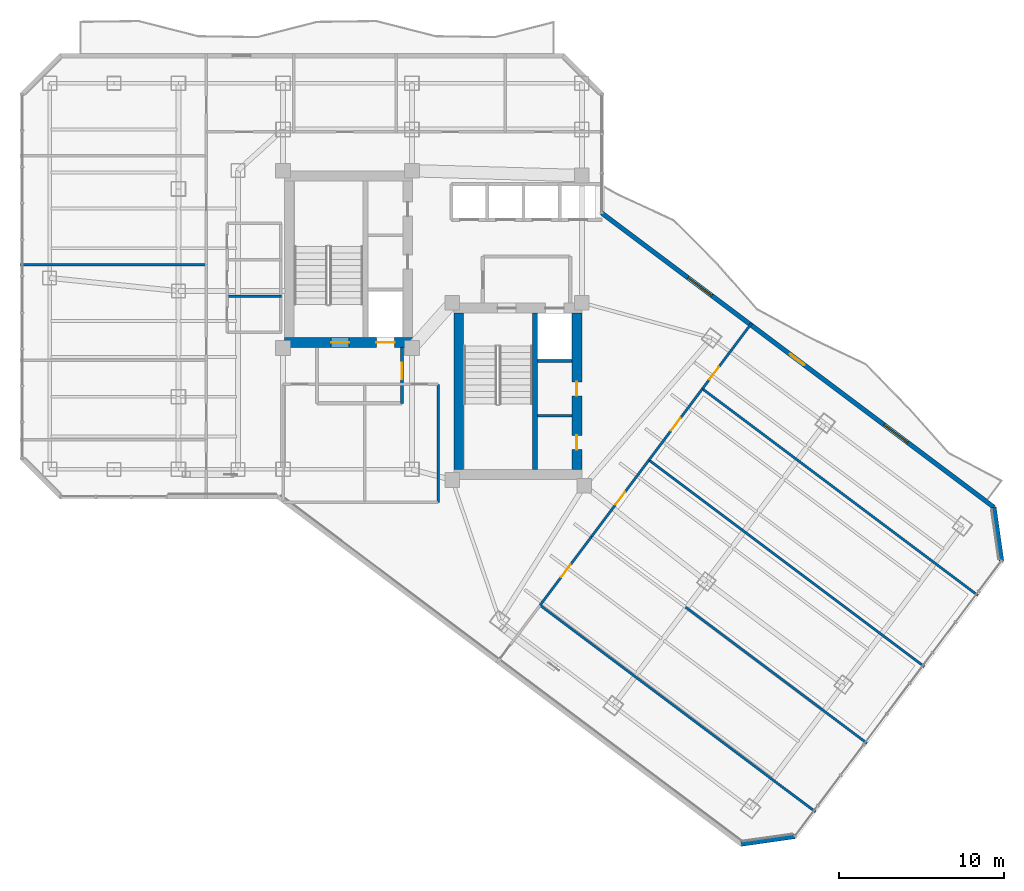
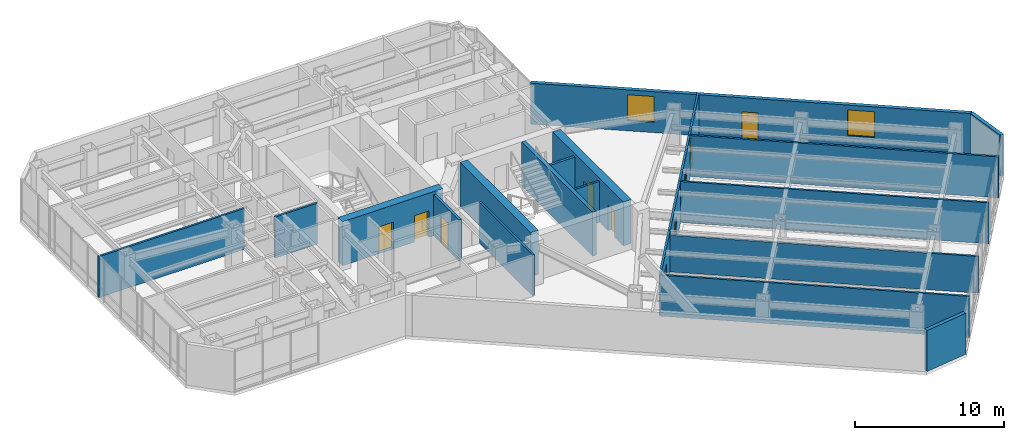
# One storey, part 24 of 31: 21 walls, 10 doors, 2 windows, 12 openings.
"""IFC4 building model written with IfcOpenShell, lengths in metres."""

from ifc_helpers import new_model, si_unit, direction, frame, frame_2d, origin, place, context, subcontext, project, spatial, rectangle, extrude, material, layer, layer_set, type_object, element, fill, save


model = new_model("IFC4")

# Units and contexts
model_context = context("Model", 3, precision=1e-05, world=origin(), true_north=direction((0.0, 1.0)))
body_context = subcontext(model_context, "Body", "Model", "MODEL_VIEW")
ifc_project = project(units=[si_unit("LENGTHUNIT", "METRE"), si_unit("AREAUNIT", "SQUARE_METRE"), si_unit("VOLUMEUNIT", "CUBIC_METRE"), si_unit("PLANEANGLEUNIT", "RADIAN"), si_unit("MASSUNIT", "GRAM", prefix="KILO")], contexts=[model_context])

# Site, building, storey
site_placement = place(None, origin())
site = spatial("IfcSite", under=ifc_project, at=site_placement, CompositionType="ELEMENT")
building_placement = place(site_placement, origin())
building = spatial("IfcBuilding", under=site, at=building_placement, Name="Hatsunagi Terrace Concourse", CompositionType="ELEMENT")
storey_placement = place(building_placement, frame((0.0, 0.0, 122.85009765625)))
storey = spatial("IfcBuildingStorey", under=building, at=storey_placement, Name="L32", CompositionType="ELEMENT", Elevation=122.85009765625)

# Wall, openings, doors
ifc_material_1 = material(Name="Concrete Fc48", Category="concrete")
ifc_layer_1 = layer(ifc_material_1, 0.60009765625)
ifc_layer_set_1 = layer_set([ifc_layer_1], Name="CoreShearWall_Fc48_600")
wall_type_1 = type_object("IfcWallType", Name="CoreShearWall_Fc48_600", PredefinedType="SHEAR", material=ifc_layer_set_1)
wall_1_placement = place(storey_placement, frame((25.6201171875, 32.889892578125, 0.0), z_axis=(0.0, 0.0, 1.0), x_axis=(1.0, 0.0, 0.0)))
wall_1 = element("IfcWall", 1, at=wall_1_placement, inside=storey, type_object=wall_type_1, Name="Core A Shear Wall S L32", PredefinedType="SHEAR", context=body_context, shape_type="SweptSolid", body=[
    extrude(rectangle(XDim=7.77978515625, YDim=0.60009765625, at=frame_2d((3.889892578125, 0.0))), origin(), (0.0, 0.0, 1.0), 3.599853515625),
])
opening_1_placement = place(wall_1_placement, frame((2.830078125, 0.0, 0.0)))
opening_1 = element("IfcOpeningElement", 2, at=opening_1_placement, cuts=wall_1, Name="Opening DR-110S", PredefinedType="OPENING", context=body_context, shape_type="SweptSolid", body=[
    extrude(rectangle(XDim=1.10009765625, YDim=2.199951171875, at=frame_2d((0.550048828125, 1.10009765625))), frame((0.0, 0.31005859375, 0.0), z_axis=(0.0, -1.0, 0.0), x_axis=(1.0, 0.0, 0.0)), (0.0, 0.0, 1.0), 0.6201171875),
])
opening_2_placement = place(wall_1_placement, frame((5.580078125, 0.0, 0.0)))
opening_2 = element("IfcOpeningElement", 3, at=opening_2_placement, cuts=wall_1, Name="Opening LD-01", PredefinedType="OPENING", context=body_context, shape_type="SweptSolid", body=[
    extrude(rectangle(XDim=1.10009765625, YDim=2.14990234375, at=frame_2d((0.550048828125, 1.074951171875))), frame((0.0, 0.31005859375, 0.0), z_axis=(0.0, -1.0, 0.0), x_axis=(1.0, 0.0, 0.0)), (0.0, 0.0, 1.0), 0.6201171875),
])
ifc_material_2 = material(Name="Stainless steel", Category="steel")
door_type_1 = type_object("IfcDoorType", Name="LiftLandingDoor_LD01", OperationType="SLIDING_TO_LEFT", PredefinedType="USERDEFINED", material=ifc_material_2)
door_1_placement = place(opening_2_placement, origin())
door_1 = element("IfcDoor", 4, at=door_1_placement, inside=storey, type_object=door_type_1, Name="Lift landing door FF-01 L32", ObjectType="SLIDING_LANDING_DOOR", OperationType="SLIDING_TO_LEFT", OverallHeight=2.14990234375, OverallWidth=1.10009765625, PredefinedType="USERDEFINED", context=body_context, shape_type="SweptSolid", body=[
    extrude(rectangle(XDim=1.10009765625, YDim=2.14990234375, at=frame_2d((0.550048828125, 1.074951171875))), frame((0.0, 0.02490234375, 0.0), z_axis=(0.0, -1.0, 0.0), x_axis=(1.0, 0.0, 0.0)), (0.0, 0.0, 1.0), 0.050048828125),
])
fill(opening_2, door_1)
ifc_material_3 = material(Name="Painted steel", Category="steel")
door_type_2 = type_object("IfcDoorType", Name="StairFireDoor_EI60_1100", OperationType="NOTDEFINED", PredefinedType="DOOR", material=ifc_material_3)
door_2_placement = place(opening_1_placement, origin())
door_2 = element("IfcDoor", 5, at=door_2_placement, inside=storey, type_object=door_type_2, Name="Stair ST-A Exit Door L32", OperationType="SINGLE_SWING_LEFT", OverallHeight=2.199951171875, OverallWidth=1.10009765625, PredefinedType="DOOR", context=body_context, shape_type="SweptSolid", body=[
    extrude(rectangle(XDim=1.10009765625, YDim=2.199951171875, at=frame_2d((0.550048828125, 1.10009765625))), frame((0.0, 0.02490234375, 0.0), z_axis=(0.0, -1.0, 0.0), x_axis=(1.0, 0.0, 0.0)), (0.0, 0.0, 1.0), 0.050048828125),
])
fill(opening_1, door_2)

# Wall
wall_2_placement = place(storey_placement, frame((36.18994140625, 25.18994140625, 0.0), z_axis=(0.0, 0.0, 1.0), x_axis=(0.0, 1.0, 0.0)))
element("IfcWall", 6, at=wall_2_placement, inside=storey, type_object=wall_type_1, Name="Core B Shear Wall W L32", PredefinedType="SHEAR", context=body_context, shape_type="SweptSolid", body=[
    extrude(rectangle(XDim=9.47998046875, YDim=0.60009765625, at=frame_2d((4.739990234375, 0.0))), origin(), (0.0, 0.0, 1.0), 3.599853515625),
])

# Wall, openings, doors
wall_3_placement = place(storey_placement, frame((43.35009765625, 25.18994140625, 0.0), z_axis=(0.0, 0.0, 1.0), x_axis=(0.0, 1.0, 0.0)))
wall_3 = element("IfcWall", 7, at=wall_3_placement, inside=storey, type_object=wall_type_1, Name="Core B Shear Wall E L32", PredefinedType="SHEAR", context=body_context, shape_type="SweptSolid", body=[
    extrude(rectangle(XDim=9.47998046875, YDim=0.60009765625, at=frame_2d((4.739990234375, 0.0))), origin(), (0.0, 0.0, 1.0), 3.599853515625),
])
opening_3_placement = place(wall_3_placement, frame((1.2099609375, 0.0, 0.0)))
opening_3 = element("IfcOpeningElement", 8, at=opening_3_placement, cuts=wall_3, Name="Opening DR-085", PredefinedType="OPENING", context=body_context, shape_type="SweptSolid", body=[
    extrude(rectangle(XDim=0.85009765625, YDim=2.080078125, at=frame_2d((0.425048828125, 1.0400390625))), frame((0.0, 0.31005859375, 0.0), z_axis=(0.0, -1.0, 0.0), x_axis=(1.0, 0.0, 0.0)), (0.0, 0.0, 1.0), 0.6201171875),
])
opening_4_placement = place(wall_3_placement, frame((4.4599609375, 0.0, 0.0)))
opening_4 = element("IfcOpeningElement", 9, at=opening_4_placement, cuts=wall_3, Name="Opening DR-085", PredefinedType="OPENING", context=body_context, shape_type="SweptSolid", body=[
    extrude(rectangle(XDim=0.85009765625, YDim=2.080078125, at=frame_2d((0.425048828125, 1.0400390625))), frame((0.0, 0.31005859375, 0.0), z_axis=(0.0, -1.0, 0.0), x_axis=(1.0, 0.0, 0.0)), (0.0, 0.0, 1.0), 0.6201171875),
])
ifc_material_4 = material(Name="Painted steel", Category="steel")
door_type_3 = type_object("IfcDoorType", Name="RiserAccessDoor_EI60_850", OperationType="NOTDEFINED", PredefinedType="DOOR", material=ifc_material_4)
door_3_placement = place(opening_3_placement, origin())
door_3 = element("IfcDoor", 10, at=door_3_placement, inside=storey, type_object=door_type_3, Name="Core B Riser Door L32-1", OperationType="SINGLE_SWING_RIGHT", OverallHeight=2.080078125, OverallWidth=0.85009765625, PredefinedType="DOOR", context=body_context, shape_type="SweptSolid", body=[
    extrude(rectangle(XDim=0.85009765625, YDim=2.080078125, at=frame_2d((0.425048828125, 1.0400390625))), frame((0.0, 0.02490234375, 0.0), z_axis=(0.0, -1.0, 0.0), x_axis=(1.0, 0.0, 0.0)), (0.0, 0.0, 1.0), 0.050048828125),
])
fill(opening_3, door_3)
door_4_placement = place(opening_4_placement, origin())
door_4 = element("IfcDoor", 11, at=door_4_placement, inside=storey, type_object=door_type_3, Name="Core B Riser Door L32-2", OperationType="SINGLE_SWING_RIGHT", OverallHeight=2.080078125, OverallWidth=0.85009765625, PredefinedType="DOOR", context=body_context, shape_type="SweptSolid", body=[
    extrude(rectangle(XDim=0.85009765625, YDim=2.080078125, at=frame_2d((0.425048828125, 1.0400390625))), frame((0.0, 0.02490234375, 0.0), z_axis=(0.0, -1.0, 0.0), x_axis=(1.0, 0.0, 0.0)), (0.0, 0.0, 1.0), 0.050048828125),
])
fill(opening_4, door_4)

# Walls
ifc_material_5 = material(Name="Concrete Fc48", Category="concrete")
ifc_layer_2 = layer(ifc_material_5, 0.300048828125)
ifc_layer_set_2 = layer_set([ifc_layer_2], Name="CoreStairDivider_Fc48_300")
wall_type_2 = type_object("IfcWallType", Name="CoreStairDivider_Fc48_300", PredefinedType="SHEAR", material=ifc_layer_set_2)
wall_4_placement = place(storey_placement, frame((40.81005859375, 25.18994140625, 0.0), z_axis=(0.0, 0.0, 1.0), x_axis=(0.0, 1.0, 0.0)))
element("IfcWall", 12, at=wall_4_placement, inside=storey, type_object=wall_type_2, Name="Core B Shear Wall D L32", PredefinedType="SHEAR", context=body_context, shape_type="SweptSolid", body=[
    extrude(rectangle(XDim=9.47998046875, YDim=0.300048828125, at=frame_2d((4.739990234375, 0.0))), origin(), (0.0, 0.0, 1.0), 3.599853515625),
])
ifc_material_6 = material(Name="Acoustic mineral board", Category="gypsum")
ifc_layer_3 = layer(ifc_material_6, 0.14990234375)
ifc_layer_set_3 = layer_set([ifc_layer_3], Name="PartitionWall_EI60_150")
wall_type_3 = type_object("IfcWallType", Name="PartitionWall_EI60_150", PredefinedType="PARTITIONING", material=ifc_layer_set_3)
wall_5_placement = place(storey_placement, frame((40.969970703125, 28.449951171875, 0.0), z_axis=(0.0, 0.0, 1.0), x_axis=(1.0, 0.0, 0.0)))
element("IfcWall", 13, at=wall_5_placement, inside=storey, type_object=wall_type_3, Name="Interior Partition IW-L32-004", PredefinedType="PARTITIONING", context=body_context, shape_type="SweptSolid", body=[
    extrude(rectangle(XDim=2.080078125, YDim=0.14990234375, at=frame_2d((1.0400390625, 0.0))), origin(), (0.0, 0.0, 1.0), 3.349853515625),
])
wall_6_placement = place(storey_placement, frame((22.14990234375, 35.699951171875, 0.0), z_axis=(0.0, 0.0, 1.0), x_axis=(1.0, 0.0, 0.0)))
element("IfcWall", 14, at=wall_6_placement, inside=storey, type_object=wall_type_3, Name="Interior Partition IW-L32-020", PredefinedType="PARTITIONING", context=body_context, shape_type="SweptSolid", body=[
    extrude(rectangle(XDim=3.300048828125, YDim=0.14990234375, at=frame_2d((1.64990234375, 0.0))), origin(), (0.0, 0.0, 1.0), 3.349853515625),
])
wall_7_placement = place(storey_placement, frame((34.949951171875, 23.199951171875, 0.0), z_axis=(0.0, 0.0, 1.0), x_axis=(0.0, 1.0, 0.0)))
element("IfcWall", 15, at=wall_7_placement, inside=storey, type_object=wall_type_3, Name="Interior Partition IW-L32-031", PredefinedType="PARTITIONING", context=body_context, shape_type="SweptSolid", body=[
    extrude(rectangle(XDim=7.150146484375, YDim=0.14990234375, at=frame_2d((3.5751953125, 0.0))), origin(), (0.0, 0.0, 1.0), 3.349853515625),
])
wall_8_placement = place(storey_placement, frame((9.639892578125, 37.60009765625, 0.0), z_axis=(0.0, 0.0, 1.0), x_axis=(1.0, 0.0, 0.0)))
element("IfcWall", 16, at=wall_8_placement, inside=storey, type_object=wall_type_3, Name="Interior Partition IW-L32-036", PredefinedType="PARTITIONING", context=body_context, shape_type="SweptSolid", body=[
    extrude(rectangle(XDim=11.260009765625, YDim=0.14990234375, at=frame_2d((5.6298828125, 0.0))), origin(), (0.0, 0.0, 1.0), 3.349853515625),
])
wall_9_placement = place(storey_placement, frame((41.1201171875, 16.9599609375, 0.0), z_axis=(0.0, 0.0, 1.0), x_axis=(0.800002808908, -0.599996254772, 0.0)))
element("IfcWall", 17, at=wall_9_placement, inside=storey, type_object=wall_type_3, Name="Interior Partition IW-L32-048", PredefinedType="PARTITIONING", context=body_context, shape_type="SweptSolid", body=[
    extrude(rectangle(XDim=20.85986328125, YDim=0.14990234375, at=frame_2d((10.429931640625, 0.0))), origin(), (0.0, 0.0, 1.0), 3.349853515625),
])
wall_10_placement = place(storey_placement, frame((44.239990234375, 21.1201171875, 0.0), z_axis=(0.0, 0.0, 1.0), x_axis=(0.799997191095, -0.600003745189, 0.0)))
element("IfcWall", 18, at=wall_10_placement, inside=storey, type_object=wall_type_3, Name="Interior Partition IW-L32-050", PredefinedType="PARTITIONING", context=body_context, shape_type="SweptSolid", body=[
    extrude(rectangle(XDim=20.860107421875, YDim=0.14990234375, at=frame_2d((10.43017578125, 0.0))), origin(), (0.0, 0.0, 1.0), 2.994873046875),
])

# Wall, opening, door
wall_11_placement = place(storey_placement, frame((41.1201171875, 16.9599609375, 0.0), z_axis=(0.0, 0.0, 1.0), x_axis=(0.599969951782, 0.800022535282, 0.0)))
wall_11 = element("IfcWall", 19, at=wall_11_placement, inside=storey, type_object=wall_type_3, Name="Interior Partition IW-L32-051", PredefinedType="PARTITIONING", context=body_context, shape_type="SweptSolid", body=[
    extrude(rectangle(XDim=5.199951171875, YDim=0.14990234375, at=frame_2d((2.60009765625, 0.0))), origin(), (0.0, 0.0, 1.0), 3.349853515625),
])
opening_5_placement = place(wall_11_placement, frame((2.125, 0.0, 0.0)))
opening_5 = element("IfcOpeningElement", 20, at=opening_5_placement, cuts=wall_11, Name="Opening DR-095", PredefinedType="OPENING", context=body_context, shape_type="SweptSolid", body=[
    extrude(rectangle(XDim=0.949951171875, YDim=2.14990234375, at=frame_2d((0.47509765625, 1.074951171875))), frame((0.0, 0.0849609375, 0.0), z_axis=(0.0, -1.0, 0.0), x_axis=(1.0, 0.0, 0.0)), (0.0, 0.0, 1.0), 0.169921875),
])
ifc_material_7 = material(Name="Hardwood timber", Category="wood")
door_type_4 = type_object("IfcDoorType", Name="InteriorSuiteDoor_EI30_950", OperationType="NOTDEFINED", PredefinedType="DOOR", material=ifc_material_7)
door_5_placement = place(opening_5_placement, origin())
door_5 = element("IfcDoor", 21, at=door_5_placement, inside=storey, type_object=door_type_4, Name="Executive Office L32-OSE2 Door", OperationType="SINGLE_SWING_RIGHT", OverallHeight=2.14990234375, OverallWidth=0.949951171875, PredefinedType="DOOR", context=body_context, shape_type="SweptSolid", body=[
    extrude(rectangle(XDim=0.949951171875, YDim=2.14990234375, at=frame_2d((0.47509765625, 1.074951171875))), frame((0.0, 0.02490234375, 0.0), z_axis=(0.0, -1.0, 0.0), x_axis=(1.0, 0.0, 0.0)), (0.0, 0.0, 1.0), 0.050048828125),
])
fill(opening_5, door_5)

# Wall
wall_12_placement = place(storey_placement, frame((47.719970703125, 25.760009765625, 0.0), z_axis=(0.0, 0.0, 1.0), x_axis=(0.799997191095, -0.600003745189, 0.0)))
element("IfcWall", 22, at=wall_12_placement, inside=storey, type_object=wall_type_3, Name="Interior Partition IW-L32-052", PredefinedType="PARTITIONING", context=body_context, shape_type="SweptSolid", body=[
    extrude(rectangle(XDim=20.860107421875, YDim=0.14990234375, at=frame_2d((10.43017578125, 0.0))), origin(), (0.0, 0.0, 1.0), 3.349853515625),
])

# Wall, opening, door
wall_13_placement = place(storey_placement, frame((44.239990234375, 21.1201171875, 0.0), z_axis=(0.0, 0.0, 1.0), x_axis=(0.600006735006, 0.799994948701, 0.0)))
wall_13 = element("IfcWall", 23, at=wall_13_placement, inside=storey, type_object=wall_type_3, Name="Interior Partition IW-L32-053", PredefinedType="PARTITIONING", context=body_context, shape_type="SweptSolid", body=[
    extrude(rectangle(XDim=5.7998046875, YDim=0.14990234375, at=frame_2d((2.89990234375, 0.0))), origin(), (0.0, 0.0, 1.0), 3.349853515625),
])
opening_6_placement = place(wall_13_placement, frame((2.425048828125, 0.0, 0.0)))
opening_6 = element("IfcOpeningElement", 24, at=opening_6_placement, cuts=wall_13, Name="Opening DR-095", PredefinedType="OPENING", context=body_context, shape_type="SweptSolid", body=[
    extrude(rectangle(XDim=0.949951171875, YDim=2.14990234375, at=frame_2d((0.47509765625, 1.074951171875))), frame((0.0, 0.0849609375, 0.0), z_axis=(0.0, -1.0, 0.0), x_axis=(1.0, 0.0, 0.0)), (0.0, 0.0, 1.0), 0.169921875),
])
door_6_placement = place(opening_6_placement, origin())
door_6 = element("IfcDoor", 25, at=door_6_placement, inside=storey, type_object=door_type_4, Name="Meeting Room L32-OSE3 Door", OperationType="SINGLE_SWING_RIGHT", OverallHeight=2.14990234375, OverallWidth=0.949951171875, PredefinedType="DOOR", context=body_context, shape_type="SweptSolid", body=[
    extrude(rectangle(XDim=0.949951171875, YDim=2.14990234375, at=frame_2d((0.47509765625, 1.074951171875))), frame((0.0, 0.02490234375, 0.0), z_axis=(0.0, -1.0, 0.0), x_axis=(1.0, 0.0, 0.0)), (0.0, 0.0, 1.0), 0.050048828125),
])
fill(opening_6, door_6)

# Wall
wall_14_placement = place(storey_placement, frame((50.9599609375, 30.080078125, 0.0), z_axis=(0.0, 0.0, 1.0), x_axis=(0.799997191095, -0.600003745189, 0.0)))
element("IfcWall", 26, at=wall_14_placement, inside=storey, type_object=wall_type_3, Name="Interior Partition IW-L32-054", PredefinedType="PARTITIONING", context=body_context, shape_type="SweptSolid", body=[
    extrude(rectangle(XDim=20.860107421875, YDim=0.14990234375, at=frame_2d((10.43017578125, 0.0))), origin(), (0.0, 0.0, 1.0), 3.349853515625),
])

# Wall, opening, door
wall_15_placement = place(storey_placement, frame((47.719970703125, 25.760009765625, 0.0), z_axis=(0.0, 0.0, 1.0), x_axis=(0.599992766245, 0.800005425265, 0.0)))
wall_15 = element("IfcWall", 27, at=wall_15_placement, inside=storey, type_object=wall_type_3, Name="Interior Partition IW-L32-055", PredefinedType="PARTITIONING", context=body_context, shape_type="SweptSolid", body=[
    extrude(rectangle(XDim=5.400146484375, YDim=0.14990234375, at=frame_2d((2.7001953125, 0.0))), origin(), (0.0, 0.0, 1.0), 3.349853515625),
])
opening_7_placement = place(wall_15_placement, frame((2.22509765625, 0.0, 0.0)))
opening_7 = element("IfcOpeningElement", 28, at=opening_7_placement, cuts=wall_15, Name="Opening DR-095", PredefinedType="OPENING", context=body_context, shape_type="SweptSolid", body=[
    extrude(rectangle(XDim=0.949951171875, YDim=2.14990234375, at=frame_2d((0.47509765625, 1.074951171875))), frame((0.0, 0.0849609375, 0.0), z_axis=(0.0, -1.0, 0.0), x_axis=(1.0, 0.0, 0.0)), (0.0, 0.0, 1.0), 0.169921875),
])
door_7_placement = place(opening_7_placement, origin())
door_7 = element("IfcDoor", 29, at=door_7_placement, inside=storey, type_object=door_type_4, Name="Design Studio L32-OSE4 Door", OperationType="SINGLE_SWING_RIGHT", OverallHeight=2.14990234375, OverallWidth=0.949951171875, PredefinedType="DOOR", context=body_context, shape_type="SweptSolid", body=[
    extrude(rectangle(XDim=0.949951171875, YDim=2.14990234375, at=frame_2d((0.47509765625, 1.074951171875))), frame((0.0, 0.02490234375, 0.0), z_axis=(0.0, -1.0, 0.0), x_axis=(1.0, 0.0, 0.0)), (0.0, 0.0, 1.0), 0.050048828125),
])
fill(opening_7, door_7)

wall_16_placement = place(storey_placement, frame((50.9599609375, 30.080078125, 0.0), z_axis=(0.0, 0.0, 1.0), x_axis=(0.600007875382, 0.799994093403, 0.0)))
wall_16 = element("IfcWall", 30, at=wall_16_placement, inside=storey, type_object=wall_type_3, Name="Interior Partition IW-L32-056", PredefinedType="PARTITIONING", context=body_context, shape_type="SweptSolid", body=[
    extrude(rectangle(XDim=4.9599609375, YDim=0.14990234375, at=frame_2d((2.47998046875, 0.0))), origin(), (0.0, 0.0, 1.0), 3.349853515625),
])
opening_8_placement = place(wall_16_placement, frame((0.705078125, 0.0, 0.0)))
opening_8 = element("IfcOpeningElement", 31, at=opening_8_placement, cuts=wall_16, Name="Opening DR-095", PredefinedType="OPENING", context=body_context, shape_type="SweptSolid", body=[
    extrude(rectangle(XDim=0.949951171875, YDim=2.14990234375, at=frame_2d((0.47509765625, 1.074951171875))), frame((0.0, 0.0849609375, 0.0), z_axis=(0.0, -1.0, 0.0), x_axis=(1.0, 0.0, 0.0)), (0.0, 0.0, 1.0), 0.169921875),
])
door_8_placement = place(opening_8_placement, origin())
door_8 = element("IfcDoor", 32, at=door_8_placement, inside=storey, type_object=door_type_4, Name="Focus Room L32-OSE5 Door", OperationType="SINGLE_SWING_RIGHT", OverallHeight=2.14990234375, OverallWidth=0.949951171875, PredefinedType="DOOR", context=body_context, shape_type="SweptSolid", body=[
    extrude(rectangle(XDim=0.949951171875, YDim=2.14990234375, at=frame_2d((0.47509765625, 1.074951171875))), frame((0.0, 0.02490234375, 0.0), z_axis=(0.0, -1.0, 0.0), x_axis=(1.0, 0.0, 0.0)), (0.0, 0.0, 1.0), 0.050048828125),
])
fill(opening_8, door_8)

# Wall
ifc_material_8 = material(Name="Acoustic mineral board", Category="gypsum")
ifc_layer_4 = layer(ifc_material_8, 0.199951171875)
ifc_layer_set_4 = layer_set([ifc_layer_4], Name="ShaftWall_EI120_200")
wall_type_4 = type_object("IfcWallType", Name="ShaftWall_EI120_200", PredefinedType="STANDARD", material=ifc_layer_set_4)
wall_17_placement = place(storey_placement, frame((40.969970703125, 31.760009765625, 0.0), z_axis=(0.0, 0.0, 1.0), x_axis=(1.0, 0.0, 0.0)))
element("IfcWall", 33, at=wall_17_placement, inside=storey, type_object=wall_type_4, Name="Interior Partition IW-L32-003", PredefinedType="STANDARD", context=body_context, shape_type="SweptSolid", body=[
    extrude(rectangle(XDim=2.080078125, YDim=0.199951171875, at=frame_2d((1.0400390625, 0.0))), origin(), (0.0, 0.0, 1.0), 3.349853515625),
])

# Wall, opening, door
wall_18_placement = place(storey_placement, frame((32.75, 29.199951171875, 0.0), z_axis=(0.0, 0.0, 1.0), x_axis=(0.0, 1.0, 0.0)))
wall_18 = element("IfcWall", 34, at=wall_18_placement, inside=storey, type_object=wall_type_4, Name="Interior Partition IW-L32-007", PredefinedType="STANDARD", context=body_context, shape_type="SweptSolid", body=[
    extrude(rectangle(XDim=3.39013671875, YDim=0.199951171875, at=frame_2d((1.695068359375, 0.0))), origin(), (0.0, 0.0, 1.0), 3.349853515625),
])
opening_9_placement = place(wall_18_placement, frame((1.449951171875, 0.0, 0.0)))
opening_9 = element("IfcOpeningElement", 35, at=opening_9_placement, cuts=wall_18, Name="Opening DR-100F", PredefinedType="OPENING", context=body_context, shape_type="SweptSolid", body=[
    extrude(rectangle(XDim=1.0, YDim=2.199951171875, at=frame_2d((0.5, 1.10009765625))), frame((0.0, 0.10986328125, 0.0), z_axis=(0.0, -1.0, 0.0), x_axis=(1.0, 0.0, 0.0)), (0.0, 0.0, 1.0), 0.219970703125),
])
ifc_material_9 = material(Name="Painted steel", Category="steel")
door_type_5 = type_object("IfcDoorType", Name="FireDoor_EI60_1000", OperationType="NOTDEFINED", PredefinedType="DOOR", material=ifc_material_9)
door_9_placement = place(opening_9_placement, origin())
door_9 = element("IfcDoor", 36, at=door_9_placement, inside=storey, type_object=door_type_5, Name="Firefighting Lobby A Door L32", OperationType="SINGLE_SWING_RIGHT", OverallHeight=2.199951171875, OverallWidth=1.0, PredefinedType="DOOR", context=body_context, shape_type="SweptSolid", body=[
    extrude(rectangle(XDim=1.0, YDim=2.199951171875, at=frame_2d((0.5, 1.10009765625))), frame((0.0, 0.02490234375, 0.0), z_axis=(0.0, -1.0, 0.0), x_axis=(1.0, 0.0, 0.0)), (0.0, 0.0, 1.0), 0.050048828125),
])
fill(opening_9, door_9)

# Wall, openings, door, windows
ifc_material_10 = material(Name="Autoclaved Lightweight Concrete and Terracotta Cladding", Category="masonry")
ifc_layer_5 = layer(ifc_material_10, 0.280029296875)
ifc_layer_set_5 = layer_set([ifc_layer_5], Name="TerracottaSpandrelWall_280")
wall_type_5 = type_object("IfcWallType", Name="TerracottaSpandrelWall_280", PredefinedType="STANDARD", material=ifc_layer_set_5)
wall_19_placement = place(storey_placement, frame((44.860107421875, 40.72998046875, 0.0), z_axis=(0.0, 0.0, 1.0), x_axis=(0.800006902154, -0.599990797017, 0.0)))
wall_19 = element("IfcWall", 37, at=wall_19_placement, inside=storey, type_object=wall_type_5, Name="Exterior Spandrel Wall EW-L32-01", PredefinedType="STANDARD", context=body_context, shape_type="SweptSolid", body=[
    extrude(rectangle(XDim=29.7119140625, YDim=0.280029296875, at=frame_2d((14.85595703125, 0.0))), origin(), (0.0, 0.0, 1.0), 3.349853515625),
])
opening_10_placement = place(wall_19_placement, frame((14.2490234375, 0.0, 0.0)))
opening_10 = element("IfcOpeningElement", 38, at=opening_10_placement, cuts=wall_19, Name="Opening BD-01", PredefinedType="OPENING", context=body_context, shape_type="SweptSolid", body=[
    extrude(rectangle(XDim=1.10009765625, YDim=2.199951171875, at=frame_2d((0.550048828125, 1.10009765625))), frame((0.0, 0.14990234375, 0.0), z_axis=(0.0, -1.0, 0.0), x_axis=(1.0, 0.0, 0.0)), (0.0, 0.0, 1.0), 0.300048828125),
])
opening_11_placement = place(wall_19_placement, frame((6.528076171875, 0.0, 0.85009765625)))
opening_11 = element("IfcOpeningElement", 39, at=opening_11_placement, cuts=wall_19, Name="Opening WIN-03", PredefinedType="OPENING", context=body_context, shape_type="SweptSolid", body=[
    extrude(rectangle(XDim=1.800048828125, YDim=2.10009765625, at=frame_2d((0.89990234375, 1.050048828125))), frame((0.0, 0.14990234375, 0.0), z_axis=(0.0, -1.0, 0.0), x_axis=(1.0, 0.0, 0.0)), (0.0, 0.0, 1.0), 0.300048828125),
])
opening_12_placement = place(wall_19_placement, frame((21.384033203125, 0.0, 0.85009765625)))
opening_12 = element("IfcOpeningElement", 40, at=opening_12_placement, cuts=wall_19, Name="Opening WIN-03", PredefinedType="OPENING", context=body_context, shape_type="SweptSolid", body=[
    extrude(rectangle(XDim=1.800048828125, YDim=2.10009765625, at=frame_2d((0.89990234375, 1.050048828125))), frame((0.0, 0.14990234375, 0.0), z_axis=(0.0, -1.0, 0.0), x_axis=(1.0, 0.0, 0.0)), (0.0, 0.0, 1.0), 0.300048828125),
])
ifc_material_11 = material(Name="Galvanised Steel and Laminated Safety Glass", Category="steel")
door_type_6 = type_object("IfcDoorType", Name="BalconyTerraceAccessDoor_1100x2200", OperationType="SINGLE_SWING_LEFT", PredefinedType="DOOR", material=ifc_material_11)
door_10_placement = place(opening_10_placement, origin())
door_10 = element("IfcDoor", 41, at=door_10_placement, inside=storey, type_object=door_type_6, Name="Engawa Balcony Door L32-BSE", OperationType="SINGLE_SWING_LEFT", OverallHeight=2.199951171875, OverallWidth=1.10009765625, PredefinedType="DOOR", context=body_context, shape_type="SweptSolid", body=[
    extrude(rectangle(XDim=1.10009765625, YDim=2.199951171875, at=frame_2d((0.550048828125, 1.10009765625))), frame((0.0, 0.02490234375, 0.0), z_axis=(0.0, -1.0, 0.0), x_axis=(1.0, 0.0, 0.0)), (0.0, 0.0, 1.0), 0.050048828125),
])
fill(opening_10, door_10)
ifc_material_12 = material(Name="Thermally Broken Aluminium and Low-E Triple Glazing", Category="aluminium")
window_type = type_object("IfcWindowType", Name="OfficeCornerFeatureWindow_1800x2100", PartitioningType="SINGLE_PANEL", PredefinedType="WINDOW", material=ifc_material_12)
window_1_placement = place(opening_11_placement, origin())
window_1 = element("IfcWindow", 42, at=window_1_placement, inside=storey, type_object=window_type, Name="Balcony Daylighting Window L32-01-1", OverallHeight=2.10009765625, OverallWidth=1.800048828125, PartitioningType="SINGLE_PANEL", PredefinedType="WINDOW", context=body_context, shape_type="SweptSolid", body=[
    extrude(rectangle(XDim=1.800048828125, YDim=2.10009765625, at=frame_2d((0.89990234375, 1.050048828125))), frame((0.0, 0.030029296875, 0.0), z_axis=(0.0, -1.0, 0.0), x_axis=(1.0, 0.0, 0.0)), (0.0, 0.0, 1.0), 0.06005859375),
])
fill(opening_11, window_1)
window_2_placement = place(opening_12_placement, origin())
window_2 = element("IfcWindow", 43, at=window_2_placement, inside=storey, type_object=window_type, Name="Balcony Daylighting Window L32-01-2", OverallHeight=2.10009765625, OverallWidth=1.800048828125, PartitioningType="SINGLE_PANEL", PredefinedType="WINDOW", context=body_context, shape_type="SweptSolid", body=[
    extrude(rectangle(XDim=1.800048828125, YDim=2.10009765625, at=frame_2d((0.89990234375, 1.050048828125))), frame((0.0, 0.030029296875, 0.0), z_axis=(0.0, -1.0, 0.0), x_axis=(1.0, 0.0, 0.0)), (0.0, 0.0, 1.0), 0.06005859375),
])
fill(opening_12, window_2)

# Walls
wall_20_placement = place(storey_placement, frame((68.6298828125, 22.903076171875, 0.0), z_axis=(0.0, 0.0, 1.0), x_axis=(0.141285803956, -0.989968848803, 0.0)))
element("IfcWall", 44, at=wall_20_placement, inside=storey, type_object=wall_type_5, Name="Exterior Spandrel Wall EW-L32-02", PredefinedType="STANDARD", context=body_context, shape_type="SweptSolid", body=[
    extrude(rectangle(XDim=3.278076171875, YDim=0.280029296875, at=frame_2d((1.63916015625, 0.0))), origin(), (0.0, 0.0, 1.0), 3.349853515625),
])
wall_21_placement = place(storey_placement, frame((56.56298828125, 2.949951171875, 0.0), z_axis=(0.0, 0.0, 1.0), x_axis=(-0.989977778067, -0.141223223777, 0.0)))
element("IfcWall", 45, at=wall_21_placement, inside=storey, type_object=wall_type_5, Name="Exterior Spandrel Wall EW-L32-04", PredefinedType="STANDARD", context=body_context, shape_type="SweptSolid", body=[
    extrude(rectangle(XDim=3.27783203125, YDim=0.280029296875, at=frame_2d((1.638916015625, 0.0))), origin(), (0.0, 0.0, 1.0), 3.349853515625),
])

save(model, "model.ifc")
